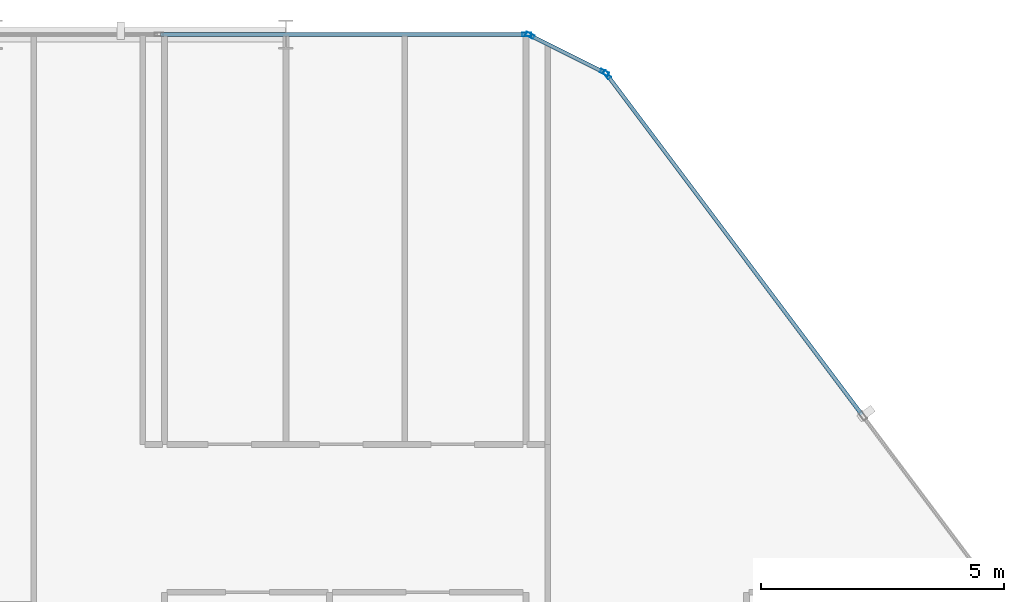
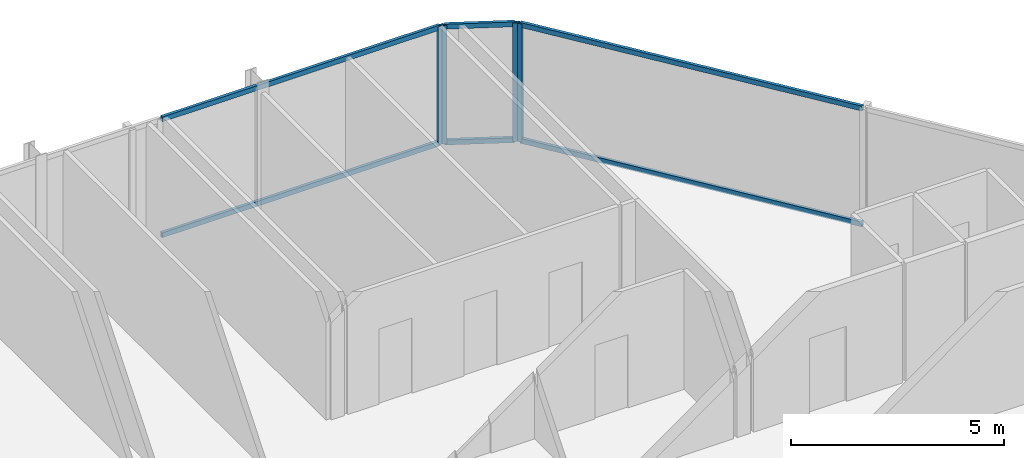
# One storey, part 20 of 29: 10 members, 3 elements without a shape of their own.
"""IFC4 building model written with IfcOpenShell, lengths in metres."""

from ifc_helpers import new_model, si_unit, direction, frame, origin, origin_2d, place, context, subcontext, project, spatial, hollow_rectangle, extrude, material, layer, layer_set, material_profile, profile_set, type_object, element, aggregate, save


model = new_model("IFC4")

# Units and contexts
model_context = context("Model", 3, precision=1e-05, world=origin(), true_north=direction((0.0, 1.0)))
body_context = subcontext(model_context, "Body", "Model", "MODEL_VIEW")
ifc_project = project(units=[si_unit("LENGTHUNIT", "METRE"), si_unit("AREAUNIT", "SQUARE_METRE"), si_unit("VOLUMEUNIT", "CUBIC_METRE"), si_unit("PLANEANGLEUNIT", "RADIAN"), si_unit("MASSUNIT", "GRAM", prefix="KILO")], contexts=[model_context])

# Site, building, storey
site_placement = place(None, origin())
site = spatial("IfcSite", under=ifc_project, at=site_placement, CompositionType="ELEMENT")
building_placement = place(site_placement, origin())
building = spatial("IfcBuilding", under=site, at=building_placement, Name="Keshet Zoharim Tower", CompositionType="ELEMENT")
storey_placement = place(building_placement, frame((0.0, 0.0, 102.0)))
storey = spatial("IfcBuildingStorey", under=building, at=storey_placement, Name="L24", CompositionType="ELEMENT", Elevation=102.0)

# Curtain wall, member
ifc_material = material(Name="Aluminium 6063-T6", Category="aluminium")
ifc_layer = layer(ifc_material, 0.159912109375)
ifc_layer_set = layer_set([ifc_layer], Name="Aluminium 6063-T6")
curtain_wall_type = type_object("IfcCurtainWallType", Name="CW-SYS-03", PredefinedType="NOTDEFINED", material=ifc_layer_set)
curtain_wall_1_placement = place(storey_placement, origin())
curtain_wall_1 = element("IfcCurtainWall", 1, at=curtain_wall_1_placement, inside=storey, type_object=curtain_wall_type, Name="L24 Unitised Curtain Wall 13 Part 5", PredefinedType="NOTDEFINED")
ifc_material_profile_1 = material_profile(ifc_material, hollow_rectangle(XDim=0.080078125, YDim=0.179931640625, WallThickness=0.00439453125, at=origin_2d()), Name="MUL-80x180")
ifc_profile_set_1 = profile_set([ifc_material_profile_1], Name="Aluminium 6063-T6")
member_type_1 = type_object("IfcMemberType", Name="CWM-M18", PredefinedType="MULLION", material=ifc_profile_set_1)
member_1_placement = place(storey_placement, frame((49.965087890625, 53.89990234375, 0.0), z_axis=(0.0, 0.0, 1.0), x_axis=(0.0, 1.0, 0.0)))
member_1 = element("IfcMember", 2, at=member_1_placement, type_object=member_type_1, Name="CW-03 mullion 3", PredefinedType="MULLION", context=body_context, shape_type="SweptSolid", body=[
    extrude(hollow_rectangle(XDim=0.080078125, YDim=0.179931640625, WallThickness=0.00439453125, at=origin_2d()), origin(), (0.0, 0.0, 1.0), 3.385009765625),
])

# Curtain wall, members
curtain_wall_2_placement = place(storey_placement, origin())
curtain_wall_2 = element("IfcCurtainWall", 3, at=curtain_wall_2_placement, inside=storey, type_object=curtain_wall_type, Name="L24 Unitised Curtain Wall 14", PredefinedType="NOTDEFINED")
member_2_placement = place(storey_placement, frame((50.03125, 53.88427734375, 0.0), z_axis=(0.0, 0.0, 1.0), x_axis=(0.447213595499, 0.894427191001, 0.0)))
member_2 = element("IfcMember", 4, at=member_2_placement, type_object=member_type_1, Name="CW-03 mullion 1", PredefinedType="MULLION", context=body_context, shape_type="SweptSolid", body=[
    extrude(hollow_rectangle(XDim=0.080078125, YDim=0.179931640625, WallThickness=0.00439453125, at=origin_2d()), origin(), (0.0, 0.0, 1.0), 3.385009765625),
])
member_3_placement = place(storey_placement, frame((51.568603515625, 53.11572265625, 0.0), z_axis=(0.0, 0.0, 1.0), x_axis=(0.447213595499, 0.894427191001, 0.0)))
member_3 = element("IfcMember", 5, at=member_3_placement, type_object=member_type_1, Name="CW-03 mullion 2", PredefinedType="MULLION", context=body_context, shape_type="SweptSolid", body=[
    extrude(hollow_rectangle(XDim=0.080078125, YDim=0.179931640625, WallThickness=0.00439453125, at=origin_2d()), origin(), (0.0, 0.0, 1.0), 3.385009765625),
])

# Curtain wall, member
curtain_wall_3_placement = place(storey_placement, origin())
curtain_wall_3 = element("IfcCurtainWall", 6, at=curtain_wall_3_placement, inside=storey, type_object=curtain_wall_type, Name="L24 Unitised Curtain Wall 15", PredefinedType="NOTDEFINED")
member_4_placement = place(storey_placement, frame((51.62109375, 53.072021484375, 0.0), z_axis=(0.0, 0.0, 1.0), x_axis=(0.799999999998, 0.600000000002, 0.0)))
member_4 = element("IfcMember", 7, at=member_4_placement, type_object=member_type_1, Name="CW-03 mullion 1", PredefinedType="MULLION", context=body_context, shape_type="SweptSolid", body=[
    extrude(hollow_rectangle(XDim=0.080078125, YDim=0.179931640625, WallThickness=0.00439453125, at=origin_2d()), origin(), (0.0, 0.0, 1.0), 3.385009765625),
])

# Member
ifc_material_profile_2 = material_profile(ifc_material, hollow_rectangle(XDim=0.080078125, YDim=0.139892578125, WallThickness=0.00390625, at=origin_2d()), Name="TRN-80x140")
ifc_profile_set_2 = profile_set([ifc_material_profile_2], Name="Aluminium 6063-T6")
member_type_2 = type_object("IfcMemberType", Name="CWT-T14", PredefinedType="USERDEFINED", material=ifc_profile_set_2)
member_5_placement = place(storey_placement, frame((42.416259765625, 53.89990234375, 0.034912109375), z_axis=(1.0, 0.0, 0.0), x_axis=(0.0, 1.0, 0.0)))
member_5 = element("IfcMember", 8, at=member_5_placement, type_object=member_type_2, Name="CW-03 transom 2.1", ObjectType="TRANSOM", PredefinedType="USERDEFINED", context=body_context, shape_type="SweptSolid", body=[
    extrude(hollow_rectangle(XDim=0.080078125, YDim=0.139892578125, WallThickness=0.00390625, at=origin_2d()), origin(), (0.0, 0.0, 1.0), 7.513671875),
])

member_6_placement = place(storey_placement, frame((42.416259765625, 53.89990234375, 3.35009765625), z_axis=(1.0, 0.0, 0.0), x_axis=(0.0, 1.0, 0.0)))
member_6 = element("IfcMember", 9, at=member_6_placement, type_object=member_type_2, Name="CW-03 transom 2.2", ObjectType="TRANSOM", PredefinedType="USERDEFINED", context=body_context, shape_type="SweptSolid", body=[
    extrude(hollow_rectangle(XDim=0.080078125, YDim=0.139892578125, WallThickness=0.00390625, at=origin_2d()), origin(), (0.0, 0.0, 1.0), 7.513671875),
])

aggregate(curtain_wall_1, [member_1, member_5, member_6])

member_7_placement = place(storey_placement, frame((50.0625, 53.86865234375, 0.034912109375), z_axis=(0.894456801911, -0.447154368775, 0.0), x_axis=(0.447154368775, 0.894456801911, 0.0)))
member_7 = element("IfcMember", 10, at=member_7_placement, type_object=member_type_2, Name="CW-03 transom 1.1", ObjectType="TRANSOM", PredefinedType="USERDEFINED", context=body_context, shape_type="SweptSolid", body=[
    extrude(hollow_rectangle(XDim=0.080078125, YDim=0.139892578125, WallThickness=0.00390625, at=origin_2d()), origin(), (0.0, 0.0, 1.0), 1.64892578125),
])

member_8_placement = place(storey_placement, frame((50.0625, 53.86865234375, 3.35009765625), z_axis=(0.894456801911, -0.447154368775, 0.0), x_axis=(0.447154368775, 0.894456801911, 0.0)))
member_8 = element("IfcMember", 11, at=member_8_placement, type_object=member_type_2, Name="CW-03 transom 1.2", ObjectType="TRANSOM", PredefinedType="USERDEFINED", context=body_context, shape_type="SweptSolid", body=[
    extrude(hollow_rectangle(XDim=0.080078125, YDim=0.139892578125, WallThickness=0.00390625, at=origin_2d()), origin(), (0.0, 0.0, 1.0), 1.64892578125),
])

aggregate(curtain_wall_2, [member_2, member_3, member_7, member_8])

member_9_placement = place(storey_placement, frame((51.64208984375, 53.0439453125, 0.034912109375), z_axis=(0.599991043201, -0.800006717521, 0.0), x_axis=(0.800006717521, 0.599991043201, 0.0)))
member_9 = element("IfcMember", 12, at=member_9_placement, type_object=member_type_2, Name="CW-03 transom 1.1", ObjectType="TRANSOM", PredefinedType="USERDEFINED", context=body_context, shape_type="SweptSolid", body=[
    extrude(hollow_rectangle(XDim=0.080078125, YDim=0.139892578125, WallThickness=0.00390625, at=origin_2d()), origin(), (0.0, 0.0, 1.0), 8.722412109375),
])

member_10_placement = place(storey_placement, frame((51.64208984375, 53.0439453125, 3.35009765625), z_axis=(0.599991043201, -0.800006717521, 0.0), x_axis=(0.800006717521, 0.599991043201, 0.0)))
member_10 = element("IfcMember", 13, at=member_10_placement, type_object=member_type_2, Name="CW-03 transom 1.2", ObjectType="TRANSOM", PredefinedType="USERDEFINED", context=body_context, shape_type="SweptSolid", body=[
    extrude(hollow_rectangle(XDim=0.080078125, YDim=0.139892578125, WallThickness=0.00390625, at=origin_2d()), origin(), (0.0, 0.0, 1.0), 8.722412109375),
])

aggregate(curtain_wall_3, [member_4, member_9, member_10])

save(model, "model.ifc")
